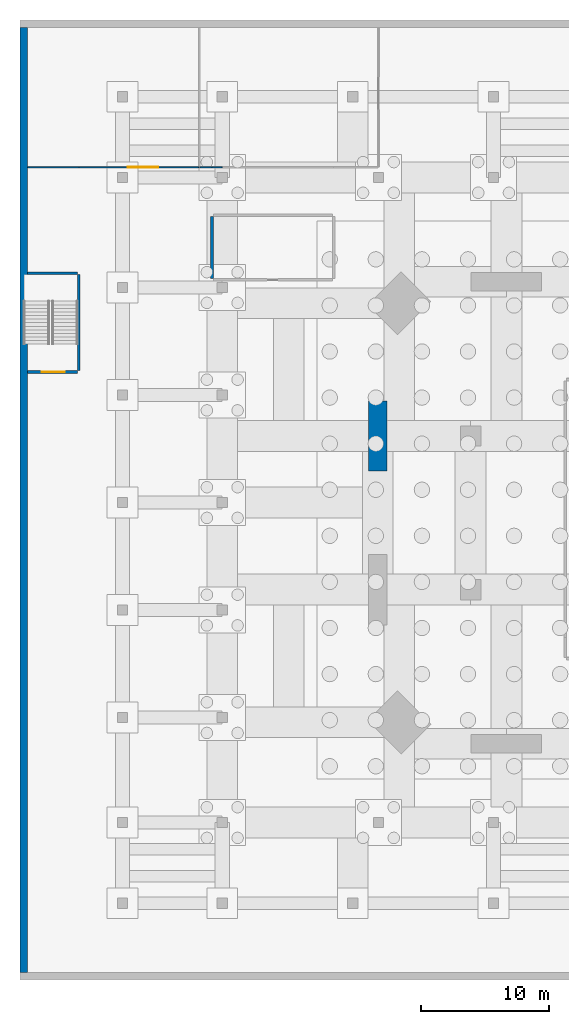
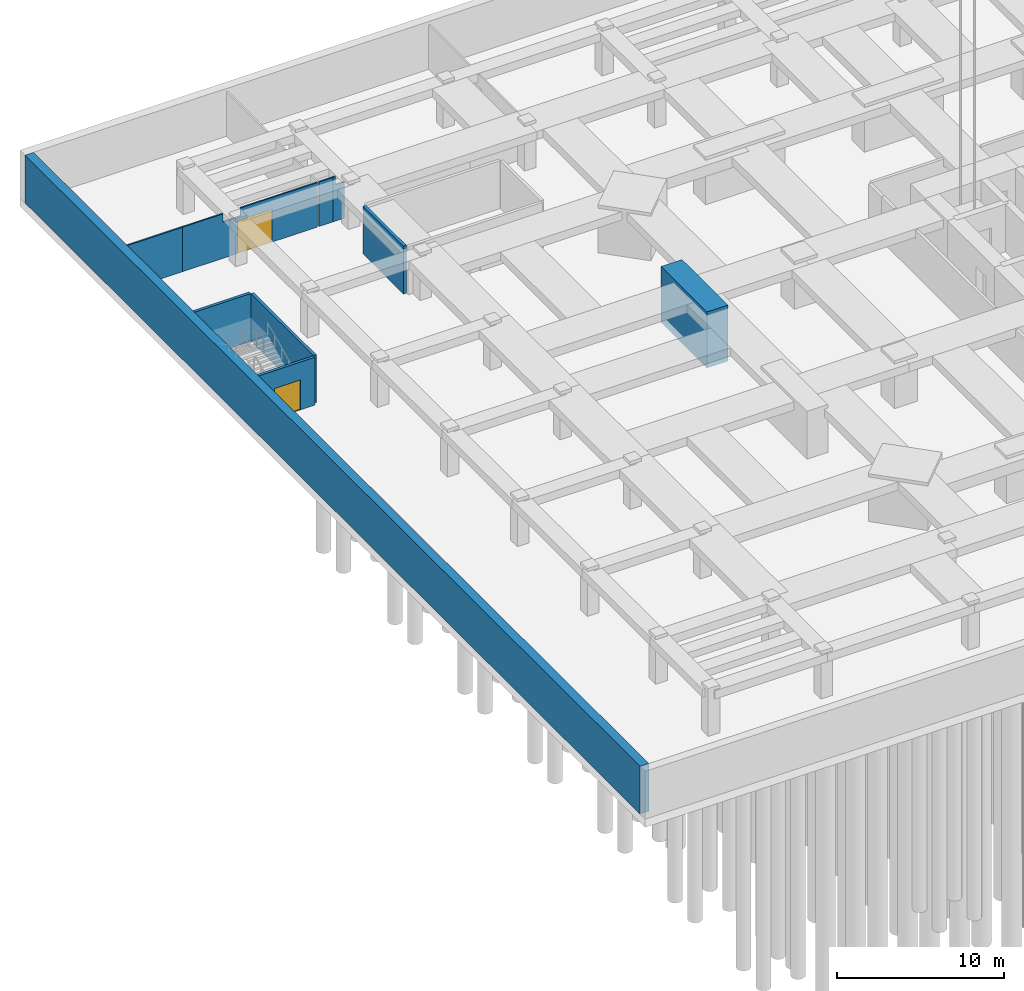
# One storey, part 8 of 15: 10 walls, 2 doors, 2 openings.
"""IFC4 building model written with IfcOpenShell, lengths in metres."""

from ifc_helpers import new_model, si_unit, direction, frame, frame_2d, origin, place, context, subcontext, project, spatial, polyline, rectangle, outline, extrude, material, layer, layer_set, constituent, constituent_set, type_object, element, fill, save


model = new_model("IFC4")

# Units and contexts
model_context = context("Model", 3, precision=1e-05, world=origin(), true_north=direction((0.0, 1.0)))
body_context = subcontext(model_context, "Body", "Model", "MODEL_VIEW")
ifc_project = project(units=[si_unit("LENGTHUNIT", "METRE"), si_unit("AREAUNIT", "SQUARE_METRE"), si_unit("VOLUMEUNIT", "CUBIC_METRE"), si_unit("PLANEANGLEUNIT", "RADIAN"), si_unit("MASSUNIT", "GRAM", prefix="KILO")], contexts=[model_context])

# Site, building, storey
site_placement = place(None, origin())
site = spatial("IfcSite", under=ifc_project, at=site_placement, CompositionType="ELEMENT")
building_placement = place(site_placement, origin())
building = spatial("IfcBuilding", under=site, at=building_placement, Name="Jalousie Tower", CompositionType="ELEMENT")
storey_placement = place(building_placement, frame((0.0, 0.0, -7.5)))
storey = spatial("IfcBuildingStorey", under=building, at=storey_placement, Name="B2", CompositionType="ELEMENT", Elevation=-7.5)

# Wall
ifc_material_1 = material(Name="Concrete f'c 120 MPa", Category="concrete")
ifc_layer_1 = layer(ifc_material_1, 0.60009765625)
ifc_layer_set_1 = layer_set([ifc_layer_1], Name="Concrete f'c 120 MPa")
wall_type_1 = type_object("IfcWallType", Name="BASEMENT RETAINING WALL 600", PredefinedType="SOLIDWALL", material=ifc_layer_set_1)
wall_1_placement = place(storey_placement, frame((-24.699951171875, 56.89990234375, 0.0), z_axis=(0.0, 0.0, 1.0), x_axis=(0.0, -1.0, 0.0)))
element("IfcWall", 1, at=wall_1_placement, inside=storey, type_object=wall_type_1, Name="Basement wall W B2", PredefinedType="SOLIDWALL", context=body_context, shape_type="SweptSolid", body=[
    extrude(rectangle(XDim=73.7998046875, YDim=0.60009765625, at=frame_2d((36.89990234375, 0.0))), origin(), (0.0, 0.0, 1.0), 3.5),
])

# Wall, opening, door
ifc_material_2 = material(Name="Type X gypsum board", Category="gypsum")
ifc_constituent_1 = constituent(ifc_material_2, Name="Body")
ifc_material_3 = material(Name="Light-gauge steel studs ASTM A653 SS Grade 33", Category="steel")
ifc_constituent_2 = constituent(ifc_material_3, Name="Framing")
ifc_constituent_set_1 = constituent_set(constituents=[ifc_constituent_1, ifc_constituent_2])
wall_type_2 = type_object("IfcWallType", Name="FIRE PARTITION 100", PredefinedType="PARTITIONING", material=ifc_constituent_set_1)
wall_2_placement = place(storey_placement, frame((-20.39990234375, 46.0, 0.0), z_axis=(0.0, 0.0, 1.0), x_axis=(1.0, 0.0, 0.0)))
wall_2 = element("IfcWall", 2, at=wall_2_placement, inside=storey, type_object=wall_type_2, Name="Fire Partition 100 B2", PredefinedType="PARTITIONING", context=body_context, shape_type="SweptSolid", body=[
    extrude(outline(polyline([(0.0, 0.0), (9.349853515625, 0.0), (9.35009765625, 3.260009765625), (4.010009765625, 3.260009765625), (4.010009765625, 2.659912109375), (2.7900390625, 2.659912109375), (2.7900390625, 3.260009765625), (0.0, 3.260009765625), (0.0, 0.0)])), frame((0.0, 0.050048828125, 0.0), z_axis=(0.0, -1.0, 0.0), x_axis=(1.0, 0.0, 0.0)), (0.0, 0.0, 1.0), 0.10009765625),
])
opening_1_placement = place(wall_2_placement, frame((3.800048828125, 0.0, 0.0)))
opening_1 = element("IfcOpeningElement", 3, at=opening_1_placement, cuts=wall_2, Name="Opening D9", PredefinedType="OPENING", context=body_context, shape_type="SweptSolid", body=[
    extrude(rectangle(XDim=2.39990234375, YDim=2.39990234375, at=frame_2d((1.199951171875, 1.199951171875))), frame((0.0, 0.06005859375, 0.0), z_axis=(0.0, -1.0, 0.0), x_axis=(1.0, 0.0, 0.0)), (0.0, 0.0, 1.0), 0.1201171875),
])
ifc_material_4 = material(Name="Steel fire door", Category="steel")
door_type_1 = type_object("IfcDoorType", Name="PLANT DOOR 2400", OperationType="DOUBLE_DOOR_SINGLE_SWING", PredefinedType="DOOR", material=ifc_material_4)
door_1_placement = place(opening_1_placement, origin())
door_1 = element("IfcDoor", 4, at=door_1_placement, inside=storey, type_object=door_type_1, Name="Plant room door", OperationType="DOUBLE_DOOR_SINGLE_SWING", OverallHeight=2.39990234375, OverallWidth=2.39990234375, PredefinedType="DOOR", context=body_context, shape_type="SweptSolid", body=[
    extrude(rectangle(XDim=2.39990234375, YDim=2.39990234375, at=frame_2d((1.199951171875, 1.199951171875))), frame((0.0, 0.02490234375, 0.0), z_axis=(0.0, -1.0, 0.0), x_axis=(1.0, 0.0, 0.0)), (0.0, 0.0, 1.0), 0.050048828125),
])
fill(opening_1, door_1)

# Walls
ifc_material_5 = material(Name="Gypsum board", Category="gypsum")
ifc_constituent_3 = constituent(ifc_material_5, Name="Body")
ifc_material_6 = material(Name="Light-gauge steel studs ASTM A653 SS Grade 33", Category="steel")
ifc_constituent_4 = constituent(ifc_material_6, Name="Framing")
ifc_constituent_set_2 = constituent_set(constituents=[ifc_constituent_3, ifc_constituent_4])
wall_type_3 = type_object("IfcWallType", Name="PARTITION 100", PredefinedType="PARTITIONING", material=ifc_constituent_set_2)
wall_3_placement = place(storey_placement, frame((-10.949951171875, 46.0, 0.0), z_axis=(0.0, 0.0, 1.0), x_axis=(1.0, 0.0, 0.0)))
element("IfcWall", 5, at=wall_3_placement, inside=storey, type_object=wall_type_3, Name="Partition 100 B2", PredefinedType="PARTITIONING", context=body_context, shape_type="SweptSolid", body=[
    extrude(rectangle(XDim=0.949951171875, YDim=0.10009765625, at=frame_2d((0.47509765625, 0.0))), origin(), (0.0, 0.0, 1.0), 3.260009765625),
])
wall_4_placement = place(storey_placement, frame((-10.0, 46.0, 0.0), z_axis=(0.0, 0.0, 1.0), x_axis=(1.0, 0.0, 0.0)))
element("IfcWall", 6, at=wall_4_placement, inside=storey, type_object=wall_type_3, Name="Partition 100 B2-A", PredefinedType="PARTITIONING", context=body_context, shape_type="SweptSolid", body=[
    extrude(outline(polyline([(0.0, 0.0), (0.800048828125, 0.0), (0.800048828125, 2.659912109375), (0.18994140625, 2.659912109375), (0.18994140625, 3.260009765625), (0.0, 3.260009765625), (0.0, 0.0)])), frame((0.0, 0.050048828125, 0.0), z_axis=(0.0, -1.0, 0.0), x_axis=(1.0, 0.0, 0.0)), (0.0, 0.0, 1.0), 0.10009765625),
])
wall_5_placement = place(storey_placement, frame((-24.39990234375, 46.0, 0.0), z_axis=(0.0, 0.0, 1.0), x_axis=(1.0, 0.0, 0.0)))
element("IfcWall", 7, at=wall_5_placement, inside=storey, type_object=wall_type_3, Name="Partition 100 B2", PredefinedType="PARTITIONING", context=body_context, shape_type="SweptSolid", body=[
    extrude(rectangle(XDim=4.0, YDim=0.10009765625, at=frame_2d((2.0, 0.0))), origin(), (0.0, 0.0, 1.0), 3.260009765625),
])
ifc_material_7 = material(Name="Concrete f'c 120 MPa", Category="concrete")
ifc_layer_2 = layer(ifc_material_7, 1.449951171875)
ifc_layer_set_2 = layer_set([ifc_layer_2], Name="Concrete f'c 120 MPa")
wall_type_4 = type_object("IfcWallType", Name="RC WALL PIER 1450", PredefinedType="SHEAR", material=ifc_layer_set_2)
wall_6_placement = place(storey_placement, frame((2.949951171875, 22.25, -0.60009765625), z_axis=(0.0, 0.0, 1.0), x_axis=(0.0, 1.0, 0.0)))
element("IfcWall", 8, at=wall_6_placement, inside=storey, type_object=wall_type_4, Name="Wall pier 13 B2", PredefinedType="SHEAR", context=body_context, shape_type="SweptSolid", body=[
    extrude(rectangle(XDim=5.5, YDim=1.449951171875, at=frame_2d((2.75, 0.0))), origin(), (0.0, 0.0, 1.0), 4.10009765625),
])
ifc_material_8 = material(Name="Concrete block ASTM C90", Category="concrete")
ifc_constituent_5 = constituent(ifc_material_8, Name="Body")
ifc_material_9 = material(Name="Render")
ifc_constituent_6 = constituent(ifc_material_9, Name="Finish")
ifc_constituent_set_3 = constituent_set(constituents=[ifc_constituent_5, ifc_constituent_6])
wall_type_5 = type_object("IfcWallType", Name="STAIR WALL 200", PredefinedType="SOLIDWALL", material=ifc_constituent_set_3)
wall_7_placement = place(storey_placement, frame((-20.39990234375, 30.10009765625, 0.0), z_axis=(0.0, 0.0, 1.0), x_axis=(0.0, 1.0, 0.0)))
element("IfcWall", 9, at=wall_7_placement, inside=storey, type_object=wall_type_5, Name="Stair Wall 200 B2", PredefinedType="SOLIDWALL", context=body_context, shape_type="SweptSolid", body=[
    extrude(rectangle(XDim=7.5, YDim=0.199951171875, at=frame_2d((3.75, 0.0))), origin(), (0.0, 0.0, 1.0), 3.5),
])
wall_8_placement = place(storey_placement, frame((-10.0, 37.300048828125, 0.0), z_axis=(0.0, 0.0, 1.0), x_axis=(0.0, 1.0, 0.0)))
element("IfcWall", 10, at=wall_8_placement, inside=storey, type_object=wall_type_5, Name="Stair Wall 200 B2", PredefinedType="SOLIDWALL", context=body_context, shape_type="SweptSolid", body=[
    extrude(rectangle(XDim=4.849853515625, YDim=0.199951171875, at=frame_2d((2.4248046875, 0.0))), origin(), (0.0, 0.0, 1.0), 3.5),
])

# Wall, opening, door
wall_9_placement = place(storey_placement, frame((-24.39990234375, 30.0, 0.0), z_axis=(0.0, 0.0, 1.0), x_axis=(1.0, 0.0, 0.0)))
wall_9 = element("IfcWall", 11, at=wall_9_placement, inside=storey, type_object=wall_type_5, Name="Stair Wall 200 B2", PredefinedType="SOLIDWALL", context=body_context, shape_type="SweptSolid", body=[
    extrude(rectangle(XDim=3.89990234375, YDim=0.199951171875, at=frame_2d((1.949951171875, 0.0))), origin(), (0.0, 0.0, 1.0), 3.5),
])
opening_2_placement = place(wall_9_placement, frame((1.10009765625, 0.0, 0.0)))
opening_2 = element("IfcOpeningElement", 12, at=opening_2_placement, cuts=wall_9, Name="Opening D17", PredefinedType="OPENING", context=body_context, shape_type="SweptSolid", body=[
    extrude(rectangle(XDim=1.800048828125, YDim=2.199951171875, at=frame_2d((0.89990234375, 1.10009765625))), frame((0.0, 0.10986328125, 0.0), z_axis=(0.0, -1.0, 0.0), x_axis=(1.0, 0.0, 0.0)), (0.0, 0.0, 1.0), 0.219970703125),
])
ifc_material_10 = material(Name="Steel fire door", Category="steel")
door_type_2 = type_object("IfcDoorType", Name="STAIR DOOR 1800", OperationType="DOUBLE_DOOR_SINGLE_SWING", PredefinedType="DOOR", material=ifc_material_10)
door_2_placement = place(opening_2_placement, origin())
door_2 = element("IfcDoor", 13, at=door_2_placement, inside=storey, type_object=door_type_2, Name="Stair BS1 door", OperationType="DOUBLE_DOOR_SINGLE_SWING", OverallHeight=2.199951171875, OverallWidth=1.800048828125, PredefinedType="DOOR", context=body_context, shape_type="SweptSolid", body=[
    extrude(rectangle(XDim=1.800048828125, YDim=2.199951171875, at=frame_2d((0.89990234375, 1.10009765625))), frame((0.0, 0.02490234375, 0.0), z_axis=(0.0, -1.0, 0.0), x_axis=(1.0, 0.0, 0.0)), (0.0, 0.0, 1.0), 0.050048828125),
])
fill(opening_2, door_2)

# Wall
wall_10_placement = place(storey_placement, frame((-24.39990234375, 37.699951171875, 0.0), z_axis=(0.0, 0.0, 1.0), x_axis=(1.0, 0.0, 0.0)))
element("IfcWall", 14, at=wall_10_placement, inside=storey, type_object=wall_type_5, Name="Stair Wall 200 B2", PredefinedType="SOLIDWALL", context=body_context, shape_type="SweptSolid", body=[
    extrude(rectangle(XDim=3.89990234375, YDim=0.199951171875, at=frame_2d((1.949951171875, 0.0))), origin(), (0.0, 0.0, 1.0), 3.5),
])

save(model, "model.ifc")
